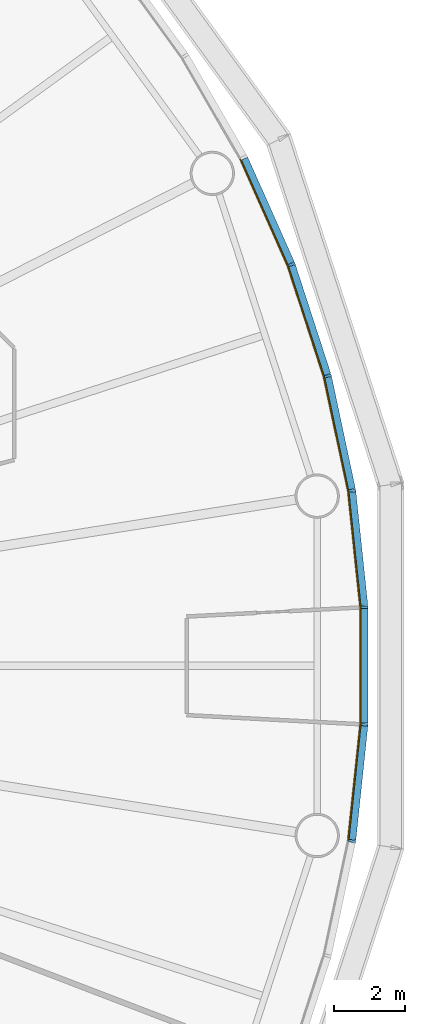
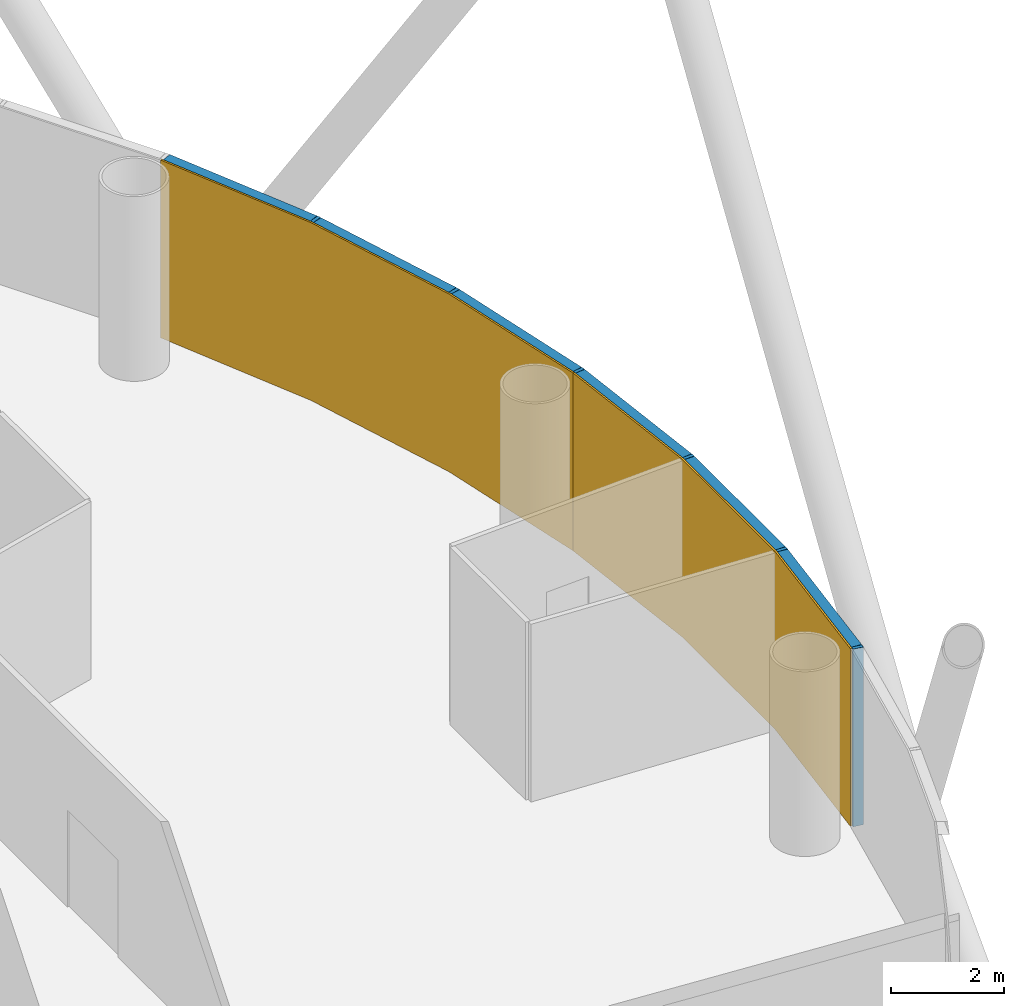
# One storey, part 11 of 13: 12 members, 2 curtain walls.
"""IFC4 building model written with IfcOpenShell, lengths in metres."""

from ifc_helpers import new_model, si_unit, direction, frame, origin, origin_2d, place, context, subcontext, project, spatial, polyline, rectangle, outline, extrude, material, layer, layer_set, material_profile, profile_set, type_object, element, aggregate, save


model = new_model("IFC4")

# Units and contexts
model_context = context("Model", 3, precision=1e-05, world=origin(), true_north=direction((0.0, 1.0)))
body_context = subcontext(model_context, "Body", "Model", "MODEL_VIEW")
ifc_project = project(units=[si_unit("LENGTHUNIT", "METRE"), si_unit("AREAUNIT", "SQUARE_METRE"), si_unit("VOLUMEUNIT", "CUBIC_METRE"), si_unit("PLANEANGLEUNIT", "RADIAN"), si_unit("MASSUNIT", "GRAM", prefix="KILO")], contexts=[model_context])

# Member
ifc_material_1 = material(Name="Anodised aluminium", Category="aluminium")
ifc_material_profile_1 = material_profile(ifc_material_1, rectangle(XDim=0.070068359375, YDim=0.199951171875, at=origin_2d()), Name="Mullion 70 x 200 mm anodised aluminium")
ifc_profile_set_1 = profile_set([ifc_material_profile_1], Name="Anodised aluminium")
member_type_1 = type_object("IfcMemberType", Name="Mullion 70 x 200 mm anodised aluminium", PredefinedType="MULLION", material=ifc_profile_set_1)
site_placement = place(None, origin())
building_placement = place(site_placement, origin())
storey_placement = place(building_placement, frame((0.0, 0.0, 116.0)))
member_1_placement = place(storey_placement, frame((121.2109375, 84.943359375, 0.0), z_axis=(0.0, 0.0, 1.0), x_axis=(-0.15643446504, 0.987688340595, 0.0)))
member_1 = element("IfcMember", 1, at=member_1_placement, type_object=member_type_1, Name="MULLION L26-00", PredefinedType="MULLION", context=body_context, shape_type="SweptSolid", body=[
    extrude(rectangle(XDim=0.070068359375, YDim=0.199951171875, at=origin_2d()), origin(), (0.0, 0.0, 1.0), 3.85009765625),
])

member_2_placement = place(storey_placement, frame((120.523193359375, 88.1787109375, 0.0), z_axis=(0.0, 0.0, 1.0), x_axis=(-0.258819045103, 0.965925826289, 0.0)))
member_2 = element("IfcMember", 2, at=member_2_placement, type_object=member_type_1, Name="MULLION L26-01", PredefinedType="MULLION", context=body_context, shape_type="SweptSolid", body=[
    extrude(rectangle(XDim=0.070068359375, YDim=0.199951171875, at=origin_2d()), origin(), (0.0, 0.0, 1.0), 3.85009765625),
])

member_3_placement = place(storey_placement, frame((119.501220703125, 91.324462890625, 0.0), z_axis=(0.0, 0.0, 1.0), x_axis=(-0.358367949545, 0.933580426497, 0.0)))
member_3 = element("IfcMember", 3, at=member_3_placement, type_object=member_type_1, Name="MULLION L26-02", PredefinedType="MULLION", context=body_context, shape_type="SweptSolid", body=[
    extrude(rectangle(XDim=0.070068359375, YDim=0.199951171875, at=origin_2d()), origin(), (0.0, 0.0, 1.0), 3.85009765625),
])

member_4_placement = place(storey_placement, frame((121.2109375, 75.056640625, 0.0), z_axis=(0.0, 0.0, 1.0), x_axis=(0.15643446504, 0.987688340595, 0.0)))
member_4 = element("IfcMember", 4, at=member_4_placement, type_object=member_type_1, Name="MULLION L26-57", PredefinedType="MULLION", context=body_context, shape_type="SweptSolid", body=[
    extrude(rectangle(XDim=0.070068359375, YDim=0.199951171875, at=origin_2d()), origin(), (0.0, 0.0, 1.0), 3.85009765625),
])

member_5_placement = place(storey_placement, frame((121.556640625, 78.34619140625, 0.0), z_axis=(0.0, 0.0, 1.0), x_axis=(0.052335956243, 0.998629534755, 0.0)))
member_5 = element("IfcMember", 5, at=member_5_placement, type_object=member_type_1, Name="MULLION L26-58", PredefinedType="MULLION", context=body_context, shape_type="SweptSolid", body=[
    extrude(rectangle(XDim=0.070068359375, YDim=0.199951171875, at=origin_2d()), origin(), (0.0, 0.0, 1.0), 3.85009765625),
])

member_6_placement = place(storey_placement, frame((121.556640625, 81.65380859375, 0.0), z_axis=(0.0, 0.0, 1.0), x_axis=(-0.052335956243, 0.998629534755, 0.0)))
member_6 = element("IfcMember", 6, at=member_6_placement, type_object=member_type_1, Name="MULLION L26-59", PredefinedType="MULLION", context=body_context, shape_type="SweptSolid", body=[
    extrude(rectangle(XDim=0.070068359375, YDim=0.199951171875, at=origin_2d()), origin(), (0.0, 0.0, 1.0), 3.85009765625),
])

ifc_material_2 = material(Name="Anodised aluminium", Category="aluminium")
ifc_material_profile_2 = material_profile(ifc_material_2, rectangle(XDim=0.199951171875, YDim=0.18994140625, at=origin_2d()), Name="Transom 190 x 200 mm anodised aluminium")
ifc_profile_set_2 = profile_set([ifc_material_profile_2], Name="Anodised aluminium")
member_type_2 = type_object("IfcMemberType", Name="Transom 190 x 200 mm anodised aluminium", PredefinedType="USERDEFINED", material=ifc_profile_set_2)
member_7_placement = place(storey_placement, frame((121.20263671875, 84.982666015625, 3.7548828125), z_axis=(-0.207885898771, 0.978153082647, 0.0), x_axis=(-0.978153082647, -0.207885898771, 0.0)))
member_7 = element("IfcMember", 7, at=member_7_placement, type_object=member_type_2, Name="TRANSOM L26-00", ObjectType="TRANSOM", PredefinedType="USERDEFINED", context=body_context, shape_type="SweptSolid", body=[
    extrude(rectangle(XDim=0.199951171875, YDim=0.18994140625, at=origin_2d()), origin(), (0.0, 0.0, 1.0), 3.227294921875),
])

member_8_placement = place(storey_placement, frame((120.510986328125, 88.217041015625, 3.7548828125), z_axis=(-0.309046726844, 0.951046855117, 0.0), x_axis=(-0.951046855117, -0.309046726844, 0.0)))
member_8 = element("IfcMember", 8, at=member_8_placement, type_object=member_type_2, Name="TRANSOM L26-01", ObjectType="TRANSOM", PredefinedType="USERDEFINED", context=body_context, shape_type="SweptSolid", body=[
    extrude(rectangle(XDim=0.199951171875, YDim=0.18994140625, at=origin_2d()), origin(), (0.0, 0.0, 1.0), 3.22705078125),
])

member_9_placement = place(storey_placement, frame((119.48486328125, 91.361328125, 3.7548828125), z_axis=(-0.406728032322, 0.913549291349, 0.0), x_axis=(-0.913549291349, -0.406728032322, 0.0)))
member_9 = element("IfcMember", 9, at=member_9_placement, type_object=member_type_2, Name="TRANSOM L26-02", ObjectType="TRANSOM", PredefinedType="USERDEFINED", context=body_context, shape_type="SweptSolid", body=[
    extrude(rectangle(XDim=0.199951171875, YDim=0.18994140625, at=origin_2d()), origin(), (0.0, 0.0, 1.0), 3.22705078125),
])

member_10_placement = place(storey_placement, frame((121.21533203125, 75.0966796875, 3.7548828125), z_axis=(0.104550890115, 0.994519537956, 0.0), x_axis=(-0.994519537956, 0.104550890115, 0.0)))
member_10 = element("IfcMember", 10, at=member_10_placement, type_object=member_type_2, Name="TRANSOM L26-57", ObjectType="TRANSOM", PredefinedType="USERDEFINED", context=body_context, shape_type="SweptSolid", body=[
    extrude(rectangle(XDim=0.199951171875, YDim=0.18994140625, at=origin_2d()), origin(), (0.0, 0.0, 1.0), 3.22705078125),
])

member_11_placement = place(storey_placement, frame((121.556884765625, 78.386474609375, 3.7548828125), z_axis=(0.0, 1.0, 0.0), x_axis=(-1.0, 0.0, 0.0)))
member_11 = element("IfcMember", 11, at=member_11_placement, type_object=member_type_2, Name="TRANSOM L26-58", ObjectType="TRANSOM", PredefinedType="USERDEFINED", context=body_context, shape_type="SweptSolid", body=[
    extrude(rectangle(XDim=0.199951171875, YDim=0.18994140625, at=origin_2d()), origin(), (0.0, 0.0, 1.0), 3.22705078125),
])

member_12_placement = place(storey_placement, frame((121.552734375, 81.69384765625, 3.7548828125), z_axis=(-0.104550890115, 0.994519537956, 0.0), x_axis=(-0.994519537956, -0.104550890115, 0.0)))
member_12 = element("IfcMember", 12, at=member_12_placement, type_object=member_type_2, Name="TRANSOM L26-59", ObjectType="TRANSOM", PredefinedType="USERDEFINED", context=body_context, shape_type="SweptSolid", body=[
    extrude(rectangle(XDim=0.199951171875, YDim=0.18994140625, at=origin_2d()), origin(), (0.0, 0.0, 1.0), 3.22705078125),
])

# Site, building, storey
site = spatial("IfcSite", under=ifc_project, at=site_placement, CompositionType="ELEMENT")
building = spatial("IfcBuilding", under=site, at=building_placement, Name="Entoto Ring Tower", CompositionType="ELEMENT")
storey = spatial("IfcBuildingStorey", under=building, at=storey_placement, Name="L26", CompositionType="ELEMENT", Elevation=116.0)

# Curtain wall
ifc_material_3 = material(Name="Clear low-iron glass", Category="glass")
ifc_layer = layer(ifc_material_3, 0.035888671875)
ifc_layer_set = layer_set([ifc_layer], Name="Clear low-iron glass")
curtain_wall_type = type_object("IfcCurtainWallType", Name="Curtain wall system CW2 glazing 36 mm", PredefinedType="NOTDEFINED", material=ifc_layer_set)
curtain_wall_1_placement = place(storey_placement, origin())
curtain_wall_1 = element("IfcCurtainWall", 13, at=curtain_wall_1_placement, inside=storey, type_object=curtain_wall_type, Name="CW2 L26-01", PredefinedType="NOTDEFINED", context=body_context, shape_type="SweptSolid", body=[
    extrude(outline(polyline([(121.1123046875, 84.927734375), (120.4267578125, 88.15283203125), (119.40771484375, 91.28857421875), (118.066650390625, 94.30078125), (118.03466796875, 94.284423828125), (119.3740234375, 91.275634765625), (120.391845703125, 88.1435546875), (121.07666015625, 84.922119140625), (121.1123046875, 84.927734375)])), origin(), (0.0, 0.0, 1.0), 3.85009765625),
])

aggregate(curtain_wall_1, [member_1, member_2, member_3, member_7, member_8, member_9])

curtain_wall_2_placement = place(storey_placement, origin())
curtain_wall_2 = element("IfcCurtainWall", 14, at=curtain_wall_2_placement, inside=storey, type_object=curtain_wall_type, Name="CW2 L26-20", PredefinedType="NOTDEFINED", context=body_context, shape_type="SweptSolid", body=[
    extrude(outline(polyline([(121.1123046875, 75.072265625), (121.456787109375, 78.351318359375), (121.456787109375, 81.648681640625), (121.1123046875, 84.927734375), (121.07666015625, 84.922119140625), (121.4208984375, 81.646728515625), (121.4208984375, 78.353271484375), (121.07666015625, 75.077880859375), (121.1123046875, 75.072265625)])), origin(), (0.0, 0.0, 1.0), 3.85009765625),
])

aggregate(curtain_wall_2, [member_4, member_5, member_6, member_10, member_11, member_12])

save(model, "model.ifc")
